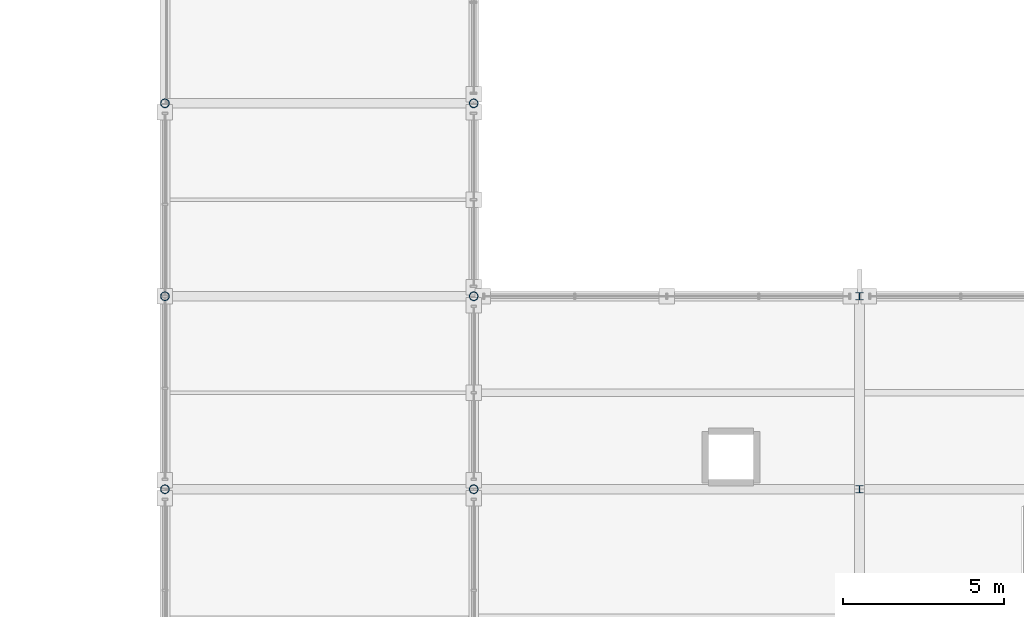
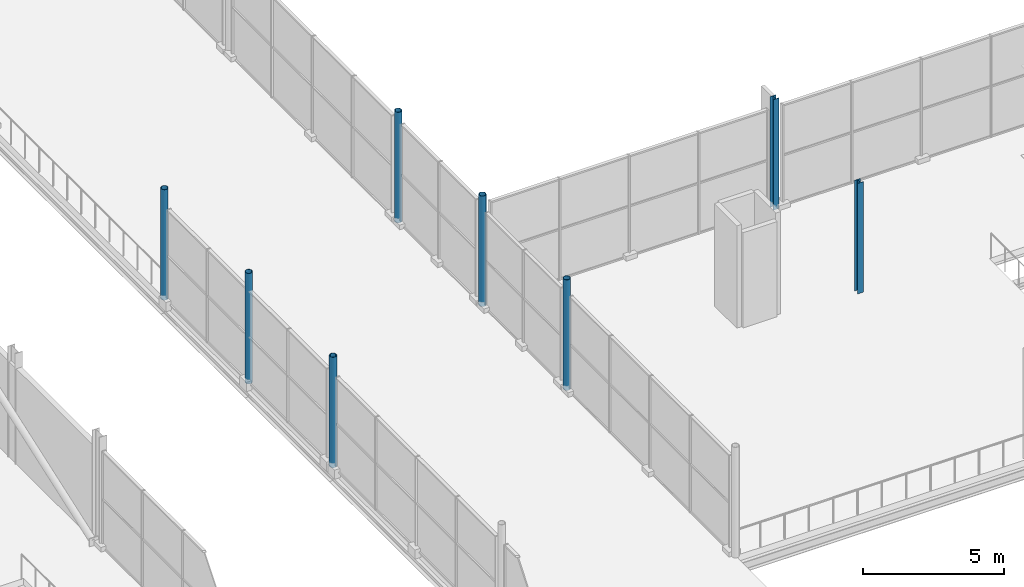
# One storey, part 8 of 159: 8 columns.
"""IFC4 building model written with IfcOpenShell, lengths in metres."""

from ifc_helpers import new_model, si_unit, direction, frame, origin, origin_2d, place, context, subcontext, project, spatial, hollow_circle, i_section, extrude, material, material_profile, profile_set, type_object, element, save


model = new_model("IFC4")

# Units and contexts
model_context = context("Model", 3, precision=1e-05, world=origin(), true_north=direction((0.0, 1.0)))
body_context = subcontext(model_context, "Body", "Model", "MODEL_VIEW")
ifc_project = project(units=[si_unit("LENGTHUNIT", "METRE"), si_unit("AREAUNIT", "SQUARE_METRE"), si_unit("VOLUMEUNIT", "CUBIC_METRE"), si_unit("PLANEANGLEUNIT", "RADIAN"), si_unit("MASSUNIT", "GRAM", prefix="KILO")], contexts=[model_context])

# Site, building, storey
site_placement = place(None, origin())
site = spatial("IfcSite", under=ifc_project, at=site_placement, CompositionType="ELEMENT")
building_placement = place(site_placement, origin())
building = spatial("IfcBuilding", under=site, at=building_placement, Name="Merenkruunu Market Hall", CompositionType="ELEMENT")
storey_placement = place(building_placement, frame((0.0, 0.0, 5.39990234375)))
storey = spatial("IfcBuildingStorey", under=building, at=storey_placement, Name="L01", CompositionType="ELEMENT", Elevation=5.39990234375)

# Columns
ifc_material_1 = material(Name="Steel S355J2", Category="steel")
ifc_material_profile_1 = material_profile(ifc_material_1, i_section(OverallWidth=0.239990234375, OverallDepth=0.22998046875, WebThickness=0.007568359375, FlangeThickness=0.011962890625, FilletRadius=0.02099609375, at=origin_2d()), Name="HEA 240")
ifc_profile_set_1 = profile_set([ifc_material_profile_1], Name="Steel S355J2")
column_type_1 = type_object("IfcColumnType", Name="Structural Column C10", PredefinedType="COLUMN", material=ifc_profile_set_1)
for number, where, z_axis, x_axis, name in (
    (1, (88.800048828125, 39.60009765625, 0.0), (0.0, 0.0, 1.0), (1.0, 0.0, 0.0), "COL-L01-K-05"),
    (2, (88.800048828125, 45.60009765625, 0.0), (0.0, 0.0, 1.0), (1.0, 0.0, 0.0), "COL-L01-K-06"),
):
    element("IfcColumn", number, at=place(storey_placement, frame(where, z_axis=z_axis, x_axis=x_axis)), inside=storey, type_object=column_type_1, Name=name, PredefinedType="COLUMN", context=body_context, shape_type="SweptSolid", body=[
        extrude(i_section(OverallWidth=0.239990234375, OverallDepth=0.22998046875, WebThickness=0.007568359375, FlangeThickness=0.011962890625, FilletRadius=0.02099609375, at=origin_2d()), origin(), (0.0, 0.0, 1.0), 4.800048828125),
    ])
ifc_material_2 = material(Name="Steel S355ML", Category="steel")
ifc_material_profile_2 = material_profile(ifc_material_2, hollow_circle(Radius=0.136474609375, WallThickness=0.012451171875, at=origin_2d()), Name="CHS 273x12.5")
ifc_profile_set_2 = profile_set([ifc_material_profile_2], Name="Steel S355ML")
column_type_2 = type_object("IfcColumnType", Name="Structural Column C14", PredefinedType="COLUMN", material=ifc_profile_set_2)
for number, where, z_axis, x_axis, name in (
    (3, (67.199951171875, 39.60009765625, 0.0), (0.0, 0.0, 1.0), (1.0, 0.0, 0.0), "COL-L01-H-05"),
    (4, (67.199951171875, 45.60009765625, 0.0), (0.0, 0.0, 1.0), (1.0, 0.0, 0.0), "COL-L01-H-06"),
    (5, (67.199951171875, 51.60009765625, 0.0), (0.0, 0.0, 1.0), (1.0, 0.0, 0.0), "COL-L01-H-07"),
    (6, (76.800048828125, 39.60009765625, 0.0), (0.0, 0.0, 1.0), (1.0, 0.0, 0.0), "COL-L01-J-05"),
    (7, (76.800048828125, 45.60009765625, 0.0), (0.0, 0.0, 1.0), (1.0, 0.0, 0.0), "COL-L01-J-06"),
    (8, (76.800048828125, 51.60009765625, 0.0), (0.0, 0.0, 1.0), (1.0, 0.0, 0.0), "COL-L01-J-07"),
):
    element("IfcColumn", number, at=place(storey_placement, frame(where, z_axis=z_axis, x_axis=x_axis)), inside=storey, type_object=column_type_2, Name=name, PredefinedType="COLUMN", context=body_context, shape_type="SweptSolid", body=[
        extrude(hollow_circle(Radius=0.136474609375, WallThickness=0.012451171875, at=origin_2d()), origin(), (0.0, 0.0, 1.0), 4.800048828125),
    ])

save(model, "model.ifc")
